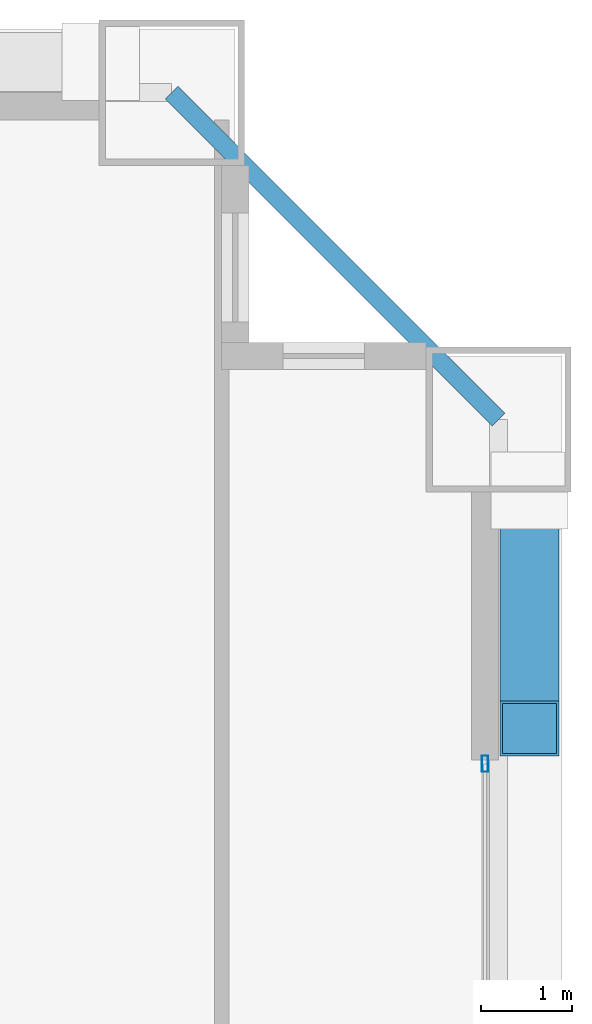
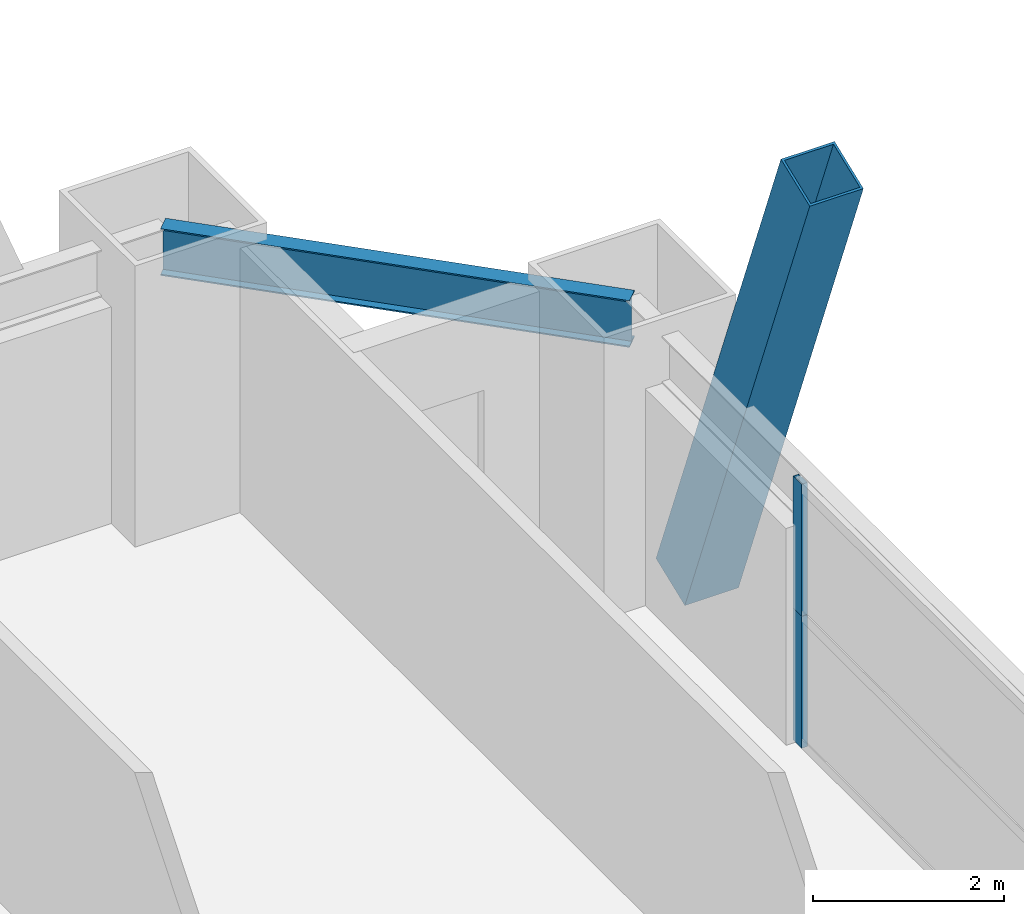
# One storey, part 32 of 41: 3 members, 1 beam, 1 element without a shape of its own.
"""IFC4 building model written with IfcOpenShell, lengths in metres."""

from ifc_helpers import new_model, si_unit, direction, frame, origin, origin_2d, place, context, subcontext, project, spatial, hollow_rectangle, i_section, extrude, source, transform, mapped, material, layer, layer_set, material_profile, profile_set, type_object, element, aggregate, save


model = new_model("IFC4")

# Units and contexts
model_context = context("Model", 3, precision=1e-05, world=origin(), true_north=direction((0.0, 1.0)))
body_context = subcontext(model_context, "Body", "Model", "MODEL_VIEW")
ifc_project = project(units=[si_unit("LENGTHUNIT", "METRE"), si_unit("AREAUNIT", "SQUARE_METRE"), si_unit("VOLUMEUNIT", "CUBIC_METRE"), si_unit("PLANEANGLEUNIT", "RADIAN"), si_unit("MASSUNIT", "GRAM", prefix="KILO"), si_unit("THERMODYNAMICTEMPERATUREUNIT", "KELVIN"), si_unit("POWERUNIT", "WATT")], contexts=[model_context])

# Site, building, storey
site_placement = place(None, origin())
site = spatial("IfcSite", under=ifc_project, at=site_placement, CompositionType="ELEMENT")
building_placement = place(site_placement, origin())
building = spatial("IfcBuilding", under=site, at=building_placement, Name="Yuzanri Waterfront Tower", CompositionType="ELEMENT")
storey_placement = place(building_placement, frame((0.0, 0.0, 152.39990234375)))
storey = spatial("IfcBuildingStorey", under=building, at=storey_placement, Name="L40", CompositionType="ELEMENT", Elevation=152.39990234375)

# Beam
ifc_material_1 = material(Name="Steel Q355B", Category="steel")
ifc_material_profile_1 = material_profile(ifc_material_1, i_section(OverallWidth=0.199951171875, OverallDepth=0.60009765625, WebThickness=0.010986328125, FlangeThickness=0.01708984375, at=origin_2d()), Name="HN 600x200x11x17")
ifc_profile_set_1 = profile_set([ifc_material_profile_1], Name="Steel Q355B")
beam_type = type_object("IfcBeamType", Name="Perimeter Spandrel Q355B HN 600x200", PredefinedType="SPANDREL", material=ifc_profile_set_1)
shared_shape_1 = source(origin(), body_context, "Body", "SweptSolid", [
    extrude(i_section(OverallWidth=0.199951171875, OverallDepth=0.60009765625, WebThickness=0.010986328125, FlangeThickness=0.01708984375, at=origin_2d()), origin(), (0.0, 0.0, 1.0), 5.091064453125),
])
beam_placement = place(storey_placement, frame((60.60009765625, 45.800048828125, 3.080078125), z_axis=(-0.707130757816, 0.707082803744, 0.0), x_axis=(-0.707082803744, -0.707130757816, 0.0)))
element("IfcBeam", 1, at=beam_placement, inside=storey, type_object=beam_type, Name="L40 Perimeter Spandrel E3-N3", PredefinedType="SPANDREL", context=body_context, shape_type="MappedRepresentation", body=[
    mapped(shared_shape_1, transform((0.0, 0.0, 0.0), scale=1.0)),
])

# Member
ifc_material_2 = material(Name="Steel Q420GJC", Category="steel")
ifc_material_profile_2 = material_profile(ifc_material_2, hollow_rectangle(XDim=0.64990234375, YDim=0.64990234375, WallThickness=0.028076171875, at=origin_2d()), Name="RHS 650x650x28")
ifc_profile_set_2 = profile_set([ifc_material_profile_2], Name="Steel Q420GJC")
member_type_1 = type_object("IfcMemberType", Name="Mega Brace Lower Q420GJC RHS 650x650x28", PredefinedType="BRACE", material=ifc_profile_set_2)
shared_shape_2 = source(origin(), body_context, "Body", "SweptSolid", [
    extrude(hollow_rectangle(XDim=0.64990234375, YDim=0.64990234375, WallThickness=0.028076171875, at=origin_2d()), origin(), (0.0, 0.0, 1.0), 7.194091796875),
])
member_1_placement = place(storey_placement, frame((60.93994140625, 45.02001953125, 0.18017578125), z_axis=(0.0, -0.36420612543, 0.931318365651), x_axis=(1.0, 0.0, 0.0)))
element("IfcMember", 2, at=member_1_placement, inside=storey, type_object=member_type_1, Name="L40-L41 Perimeter Mega-Brace E-R", PredefinedType="BRACE", context=body_context, shape_type="MappedRepresentation", body=[
    mapped(shared_shape_2, transform((0.0, 0.0, 0.0), scale=1.0)),
])

# Curtain wall, members
ifc_material_3 = material(Name="Anodized Architectural Bronze", Category="metal")
ifc_layer = layer(ifc_material_3, 0.159912109375)
ifc_layer_set = layer_set([ifc_layer], Name="Anodized Architectural Bronze")
curtain_wall_type = type_object("IfcCurtainWallType", Name="Anodized Bronze Hotel Upper-Tier Solar-Control Unitized Curtain Wall 7800", PredefinedType="NOTDEFINED", material=ifc_layer_set)
curtain_wall_placement = place(storey_placement, origin())
curtain_wall = element("IfcCurtainWall", 3, at=curtain_wall_placement, inside=storey, type_object=curtain_wall_type, Name="L40 Curtain Wall CW-L40-ER", PredefinedType="NOTDEFINED")
ifc_material_4 = material(Name="Anodized Architectural Bronze", Category="metal")
ifc_material_profile_3 = material_profile(ifc_material_4, hollow_rectangle(XDim=0.070068359375, YDim=0.179931640625, WallThickness=0.00390625, at=origin_2d()), Name="CWM 70x180")
ifc_profile_set_3 = profile_set([ifc_material_profile_3], Name="Anodized Architectural Bronze")
member_type_2 = type_object("IfcMemberType", Name="Anodized Bronze Standard Curtain-Wall Mullion 70x180", PredefinedType="MULLION", material=ifc_profile_set_3)
shared_shape_3 = source(origin(), body_context, "Body", "SweptSolid", [
    extrude(hollow_rectangle(XDim=0.070068359375, YDim=0.179931640625, WallThickness=0.00390625, at=origin_2d()), origin(), (0.0, 0.0, 1.0), 1.68798828125),
])
member_2_placement = place(storey_placement, frame((60.449951171875, 42.010009765625, 0.0), z_axis=(0.0, 0.0, 1.0), x_axis=(1.0, 0.0, 0.0)))
member_2 = element("IfcMember", 4, at=member_2_placement, type_object=member_type_2, Name="CW-L40-ER Lower Mullion 02", PredefinedType="MULLION", context=body_context, shape_type="MappedRepresentation", body=[
    mapped(shared_shape_3, transform((0.0, 0.0, 0.0), scale=1.0)),
])
member_3_placement = place(storey_placement, frame((60.449951171875, 42.010009765625, 1.692138671875), z_axis=(0.0, 0.0, 1.0), x_axis=(1.0, 0.0, 0.0)))
member_3 = element("IfcMember", 5, at=member_3_placement, type_object=member_type_2, Name="CW-L40-ER Upper Mullion 02", PredefinedType="MULLION", context=body_context, shape_type="MappedRepresentation", body=[
    mapped(shared_shape_3, transform((0.0, 0.0, 0.0), scale=1.0)),
])
aggregate(curtain_wall, [member_2, member_3])

save(model, "model.ifc")
